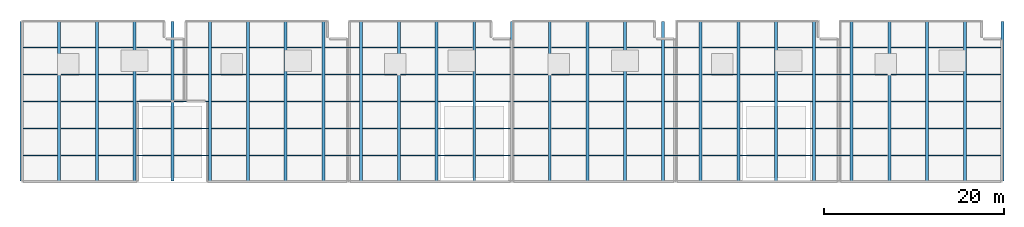
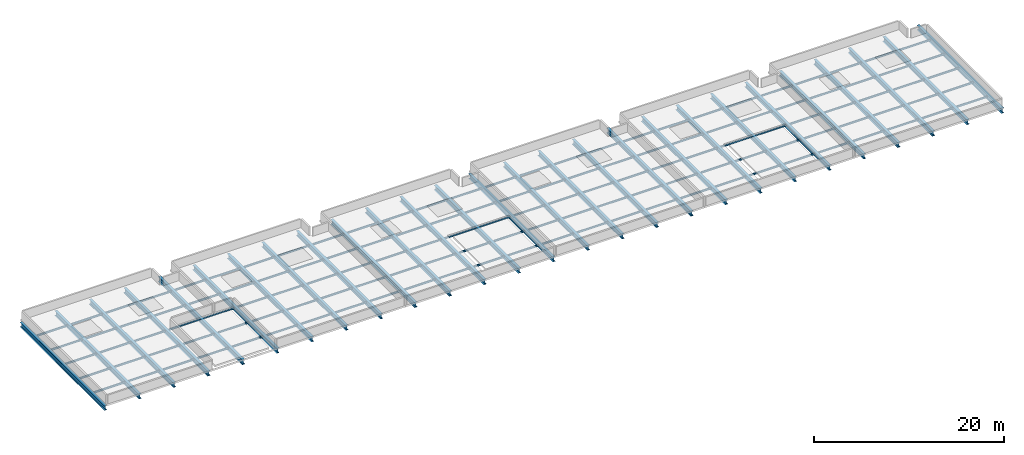
# One storey, part 1 of 3: 130 members, 27 beams.
"""IFC4 building model written with IfcOpenShell, lengths in metres."""

from ifc_helpers import new_model, si_unit, direction, frame, origin, origin_2d, place, context, subcontext, project, spatial, i_section, extrude, material, material_profile, profile_set, type_object, element, save


model = new_model("IFC4")

# Units and contexts
model_context = context("Model", 3, precision=1e-05, world=origin(), true_north=direction((0.0, 1.0)))
body_context = subcontext(model_context, "Body", "Model", "MODEL_VIEW")
ifc_project = project(units=[si_unit("LENGTHUNIT", "METRE"), si_unit("AREAUNIT", "SQUARE_METRE"), si_unit("VOLUMEUNIT", "CUBIC_METRE"), si_unit("PLANEANGLEUNIT", "RADIAN"), si_unit("MASSUNIT", "GRAM", prefix="KILO")], contexts=[model_context])

# Site, building, storey
site_placement = place(None, origin())
site = spatial("IfcSite", under=ifc_project, at=site_placement, CompositionType="ELEMENT")
building_placement = place(site_placement, origin())
building = spatial("IfcBuilding", under=site, at=building_placement, Name="Khurvash Pelagic Aquarium", CompositionType="ELEMENT")
storey_placement = place(building_placement, frame((0.0, 0.0, 30.0)))
storey = spatial("IfcBuildingStorey", under=building, at=storey_placement, Name="RF", CompositionType="ELEMENT", Elevation=30.0)

# Beams
ifc_material_1 = material(Name="Steel ASTM A992 Grade 50", Category="steel")
ifc_material_profile_1 = material_profile(ifc_material_1, i_section(OverallWidth=0.324951171875, OverallDepth=0.612060546875, WebThickness=0.0126953125, FlangeThickness=0.01904296875, at=origin_2d()), Name="W24X104")
ifc_profile_set_1 = profile_set([ifc_material_profile_1], Name="Steel ASTM A992 Grade 50")
beam_type_1 = type_object("IfcBeamType", Name="BM-10", PredefinedType="BEAM", material=ifc_profile_set_1)
for number, where, z_axis, x_axis, name in (
    (1, (16.800048828125, 11.81005859375, -0.52587890625), (0.0, 1.0, 0.0), (-1.0, 0.0, 0.0), "RF Sky-Bar Transverse Roof Girder BM-10 N02"),
    (2, (21.0, 11.81005859375, -0.52587890625), (0.0, 1.0, 0.0), (-1.0, 0.0, 0.0), "RF Sky-Bar Transverse Roof Girder BM-10 N03"),
    (3, (25.199951171875, 11.81005859375, -0.52587890625), (0.0, 1.0, 0.0), (-1.0, 0.0, 0.0), "RF Sky-Bar Transverse Roof Girder BM-10 N04"),
    (4, (29.39990234375, 11.81005859375, -0.52587890625), (0.0, 1.0, 0.0), (-1.0, 0.0, 0.0), "RF Sky-Bar Transverse Roof Girder BM-10 N05"),
    (5, (33.60009765625, 11.81005859375, -0.52587890625), (0.0, 1.0, 0.0), (-1.0, 0.0, 0.0), "RF Sky-Bar Transverse Roof Girder BM-10 N06"),
    (6, (37.800048828125, 11.81005859375, -0.52587890625), (0.0, 1.0, 0.0), (-1.0, 0.0, 0.0), "RF Sky-Bar Transverse Roof Girder BM-10 N07"),
    (7, (42.0, 11.81005859375, -0.52587890625), (0.0, 1.0, 0.0), (-1.0, 0.0, 0.0), "RF Sky-Bar Transverse Roof Girder BM-10 N08"),
    (8, (46.199951171875, 11.81005859375, -0.52587890625), (0.0, 1.0, 0.0), (-1.0, 0.0, 0.0), "RF Sky-Bar Transverse Roof Girder BM-10 N09"),
    (9, (50.39990234375, 11.81005859375, -0.52587890625), (0.0, 1.0, 0.0), (-1.0, 0.0, 0.0), "RF Sky-Bar Transverse Roof Girder BM-10 N10"),
    (10, (54.60009765625, 11.81005859375, -0.52587890625), (0.0, 1.0, 0.0), (-1.0, 0.0, 0.0), "RF Sky-Bar Transverse Roof Girder BM-10 N11"),
    (11, (58.800048828125, 11.81005859375, -0.52587890625), (0.0, 1.0, 0.0), (-1.0, 0.0, 0.0), "RF Sky-Bar Transverse Roof Girder BM-10 N12"),
    (12, (63.0, 11.81005859375, -0.52587890625), (0.0, 1.0, 0.0), (-1.0, 0.0, 0.0), "RF Sky-Bar Transverse Roof Girder BM-10 N13"),
    (13, (67.199951171875, 11.81005859375, -0.52587890625), (0.0, 1.0, 0.0), (-1.0, 0.0, 0.0), "RF Sky-Bar Transverse Roof Girder BM-10 N14"),
    (14, (71.39990234375, 11.81005859375, -0.52587890625), (0.0, 1.0, 0.0), (-1.0, 0.0, 0.0), "RF Sky-Bar Transverse Roof Girder BM-10 N15"),
    (15, (75.60009765625, 11.81005859375, -0.52587890625), (0.0, 1.0, 0.0), (-1.0, 0.0, 0.0), "RF Sky-Bar Transverse Roof Girder BM-10 N16"),
    (16, (79.800048828125, 11.81005859375, -0.52587890625), (0.0, 1.0, 0.0), (-1.0, 0.0, 0.0), "RF Sky-Bar Transverse Roof Girder BM-10 N17"),
    (17, (84.0, 11.81005859375, -0.52587890625), (0.0, 1.0, 0.0), (-1.0, 0.0, 0.0), "RF Sky-Bar Transverse Roof Girder BM-10 N18"),
    (18, (88.199951171875, 11.81005859375, -0.52587890625), (0.0, 1.0, 0.0), (-1.0, 0.0, 0.0), "RF Sky-Bar Transverse Roof Girder BM-10 N19"),
    (19, (92.39990234375, 11.81005859375, -0.52587890625), (0.0, 1.0, 0.0), (-1.0, 0.0, 0.0), "RF Sky-Bar Transverse Roof Girder BM-10 N20"),
    (20, (96.60009765625, 11.81005859375, -0.52587890625), (0.0, 1.0, 0.0), (-1.0, 0.0, 0.0), "RF Sky-Bar Transverse Roof Girder BM-10 N21"),
    (21, (100.800048828125, 11.81005859375, -0.52587890625), (0.0, 1.0, 0.0), (-1.0, 0.0, 0.0), "RF Sky-Bar Transverse Roof Girder BM-10 N22"),
    (22, (105.0, 11.81005859375, -0.52587890625), (0.0, 1.0, 0.0), (-1.0, 0.0, 0.0), "RF Sky-Bar Transverse Roof Girder BM-10 N23"),
    (23, (109.199951171875, 11.81005859375, -0.52587890625), (0.0, 1.0, 0.0), (-1.0, 0.0, 0.0), "RF Sky-Bar Transverse Roof Girder BM-10 N24"),
    (24, (113.39990234375, 11.81005859375, -0.52587890625), (0.0, 1.0, 0.0), (-1.0, 0.0, 0.0), "RF Sky-Bar Transverse Roof Girder BM-10 N25"),
    (25, (117.60009765625, 11.81005859375, -0.52587890625), (0.0, 1.0, 0.0), (-1.0, 0.0, 0.0), "RF Sky-Bar Transverse Roof Girder BM-10 N26"),
):
    element("IfcBeam", number, at=place(storey_placement, frame(where, z_axis=z_axis, x_axis=x_axis)), inside=storey, type_object=beam_type_1, Name=name, PredefinedType="BEAM", context=body_context, shape_type="SweptSolid", body=[
        extrude(i_section(OverallWidth=0.324951171875, OverallDepth=0.612060546875, WebThickness=0.0126953125, FlangeThickness=0.01904296875, at=origin_2d()), origin(), (0.0, 0.0, 1.0), 17.780029296875),
    ])
ifc_material_profile_2 = material_profile(ifc_material_1, i_section(OverallWidth=0.324951171875, OverallDepth=0.612060546875, WebThickness=0.0126953125, FlangeThickness=0.01904296875, at=origin_2d()), Name="W24X104")
ifc_profile_set_2 = profile_set([ifc_material_profile_2], Name="Steel ASTM A992 Grade 50")
beam_type_2 = type_object("IfcBeamType", Name="BM-15", PredefinedType="BEAM", material=ifc_profile_set_2)
for number, where, z_axis, x_axis, name in (
    (26, (12.60009765625, 11.81005859375, -0.52587890625), (0.0, 1.0, 0.0), (-1.0, 0.0, 0.0), "RF Sky-Bar Transverse Roof Girder BM-15 N01"),
    (27, (121.800048828125, 11.81005859375, -0.52587890625), (0.0, 1.0, 0.0), (-1.0, 0.0, 0.0), "RF Sky-Bar Transverse Roof Girder BM-15 N27"),
):
    element("IfcBeam", number, at=place(storey_placement, frame(where, z_axis=z_axis, x_axis=x_axis)), inside=storey, type_object=beam_type_2, Name=name, PredefinedType="BEAM", context=body_context, shape_type="SweptSolid", body=[
        extrude(i_section(OverallWidth=0.324951171875, OverallDepth=0.612060546875, WebThickness=0.0126953125, FlangeThickness=0.01904296875, at=origin_2d()), origin(), (0.0, 0.0, 1.0), 17.780029296875),
    ])

# Members
ifc_material_2 = material(Name="Steel S355J2", Category="steel")
ifc_material_profile_3 = material_profile(ifc_material_2, i_section(OverallWidth=0.1201171875, OverallDepth=0.239990234375, WebThickness=0.006103515625, FlangeThickness=0.009765625, at=origin_2d()), Name="IPE240")
ifc_profile_set_3 = profile_set([ifc_material_profile_3], Name="Steel S355J2")
member_type = type_object("IfcMemberType", Name="PR-01", PredefinedType="PURLIN", material=ifc_profile_set_3)
for number, where, z_axis, x_axis, name in (
    (28, (12.780029296875, 14.64990234375, -0.340087890625), (1.0, 0.0, 0.0), (0.0, 1.0, 0.0), "RF Sky-Bar Roof Purlin PR-01 P01"),
    (29, (12.780029296875, 17.64990234375, -0.340087890625), (1.0, 0.0, 0.0), (0.0, 1.0, 0.0), "RF Sky-Bar Roof Purlin PR-01 P01"),
    (30, (12.780029296875, 20.699951171875, -0.340087890625), (1.0, 0.0, 0.0), (0.0, 1.0, 0.0), "RF Sky-Bar Roof Purlin PR-01 P01"),
    (31, (12.780029296875, 23.699951171875, -0.340087890625), (1.0, 0.0, 0.0), (0.0, 1.0, 0.0), "RF Sky-Bar Roof Purlin PR-01 P01"),
    (32, (12.780029296875, 26.699951171875, -0.340087890625), (1.0, 0.0, 0.0), (0.0, 1.0, 0.0), "RF Sky-Bar Roof Purlin PR-01 P01"),
    (33, (16.97998046875, 14.64990234375, -0.340087890625), (1.0, 0.0, 0.0), (0.0, 1.0, 0.0), "RF Sky-Bar Roof Purlin PR-01 P02"),
    (34, (16.97998046875, 17.64990234375, -0.340087890625), (1.0, 0.0, 0.0), (0.0, 1.0, 0.0), "RF Sky-Bar Roof Purlin PR-01 P02"),
    (35, (16.97998046875, 20.699951171875, -0.340087890625), (1.0, 0.0, 0.0), (0.0, 1.0, 0.0), "RF Sky-Bar Roof Purlin PR-01 P02"),
    (36, (16.97998046875, 23.699951171875, -0.340087890625), (1.0, 0.0, 0.0), (0.0, 1.0, 0.0), "RF Sky-Bar Roof Purlin PR-01 P02"),
    (37, (16.97998046875, 26.699951171875, -0.340087890625), (1.0, 0.0, 0.0), (0.0, 1.0, 0.0), "RF Sky-Bar Roof Purlin PR-01 P02"),
    (38, (21.179931640625, 14.64990234375, -0.340087890625), (1.0, 0.0, 0.0), (0.0, 1.0, 0.0), "RF Sky-Bar Roof Purlin PR-01 P03"),
    (39, (21.179931640625, 17.64990234375, -0.340087890625), (1.0, 0.0, 0.0), (0.0, 1.0, 0.0), "RF Sky-Bar Roof Purlin PR-01 P03"),
    (40, (21.179931640625, 20.699951171875, -0.340087890625), (1.0, 0.0, 0.0), (0.0, 1.0, 0.0), "RF Sky-Bar Roof Purlin PR-01 P03"),
    (41, (21.179931640625, 23.699951171875, -0.340087890625), (1.0, 0.0, 0.0), (0.0, 1.0, 0.0), "RF Sky-Bar Roof Purlin PR-01 P03"),
    (42, (21.179931640625, 26.699951171875, -0.340087890625), (1.0, 0.0, 0.0), (0.0, 1.0, 0.0), "RF Sky-Bar Roof Purlin PR-01 P03"),
    (43, (25.3798828125, 14.64990234375, -0.340087890625), (1.0, 0.0, 0.0), (0.0, 1.0, 0.0), "RF Sky-Bar Roof Purlin PR-01 P04"),
    (44, (25.3798828125, 17.64990234375, -0.340087890625), (1.0, 0.0, 0.0), (0.0, 1.0, 0.0), "RF Sky-Bar Roof Purlin PR-01 P04"),
    (45, (25.3798828125, 20.699951171875, -0.340087890625), (1.0, 0.0, 0.0), (0.0, 1.0, 0.0), "RF Sky-Bar Roof Purlin PR-01 P04"),
    (46, (25.3798828125, 23.699951171875, -0.340087890625), (1.0, 0.0, 0.0), (0.0, 1.0, 0.0), "RF Sky-Bar Roof Purlin PR-01 P04"),
    (47, (25.3798828125, 26.699951171875, -0.340087890625), (1.0, 0.0, 0.0), (0.0, 1.0, 0.0), "RF Sky-Bar Roof Purlin PR-01 P04"),
):
    element("IfcMember", number, at=place(storey_placement, frame(where, z_axis=z_axis, x_axis=x_axis)), inside=storey, type_object=member_type, Name=name, PredefinedType="PURLIN", context=body_context, shape_type="SweptSolid", body=[
        extrude(i_section(OverallWidth=0.1201171875, OverallDepth=0.239990234375, WebThickness=0.006103515625, FlangeThickness=0.009765625, at=origin_2d()), origin(), (0.0, 0.0, 1.0), 3.840087890625),
    ])
for number, where, z_axis, x_axis, name in (
    (48, (29.580078125, 14.64990234375, -0.340087890625), (1.0, 0.0, 0.0), (0.0, 1.0, 0.0), "RF Sky-Bar Roof Purlin PR-01 P05"),
    (49, (29.580078125, 17.64990234375, -0.340087890625), (1.0, 0.0, 0.0), (0.0, 1.0, 0.0), "RF Sky-Bar Roof Purlin PR-01 P05"),
    (50, (29.580078125, 20.699951171875, -0.340087890625), (1.0, 0.0, 0.0), (0.0, 1.0, 0.0), "RF Sky-Bar Roof Purlin PR-01 P05"),
    (51, (29.580078125, 23.699951171875, -0.340087890625), (1.0, 0.0, 0.0), (0.0, 1.0, 0.0), "RF Sky-Bar Roof Purlin PR-01 P05"),
    (52, (29.580078125, 26.699951171875, -0.340087890625), (1.0, 0.0, 0.0), (0.0, 1.0, 0.0), "RF Sky-Bar Roof Purlin PR-01 P05"),
):
    element("IfcMember", number, at=place(storey_placement, frame(where, z_axis=z_axis, x_axis=x_axis)), inside=storey, type_object=member_type, Name=name, PredefinedType="PURLIN", context=body_context, shape_type="SweptSolid", body=[
        extrude(i_section(OverallWidth=0.1201171875, OverallDepth=0.239990234375, WebThickness=0.006103515625, FlangeThickness=0.009765625, at=origin_2d()), origin(), (0.0, 0.0, 1.0), 3.83984375),
    ])
for number, where, z_axis, x_axis, name in (
    (53, (33.780029296875, 14.64990234375, -0.340087890625), (1.0, 0.0, 0.0), (0.0, 1.0, 0.0), "RF Sky-Bar Roof Purlin PR-01 P06"),
    (54, (33.780029296875, 17.64990234375, -0.340087890625), (1.0, 0.0, 0.0), (0.0, 1.0, 0.0), "RF Sky-Bar Roof Purlin PR-01 P06"),
    (55, (33.780029296875, 20.699951171875, -0.340087890625), (1.0, 0.0, 0.0), (0.0, 1.0, 0.0), "RF Sky-Bar Roof Purlin PR-01 P06"),
    (56, (33.780029296875, 23.699951171875, -0.340087890625), (1.0, 0.0, 0.0), (0.0, 1.0, 0.0), "RF Sky-Bar Roof Purlin PR-01 P06"),
    (57, (33.780029296875, 26.699951171875, -0.340087890625), (1.0, 0.0, 0.0), (0.0, 1.0, 0.0), "RF Sky-Bar Roof Purlin PR-01 P06"),
    (58, (37.97998046875, 14.64990234375, -0.340087890625), (1.0, 0.0, 0.0), (0.0, 1.0, 0.0), "RF Sky-Bar Roof Purlin PR-01 P07"),
    (59, (37.97998046875, 17.64990234375, -0.340087890625), (1.0, 0.0, 0.0), (0.0, 1.0, 0.0), "RF Sky-Bar Roof Purlin PR-01 P07"),
    (60, (37.97998046875, 20.699951171875, -0.340087890625), (1.0, 0.0, 0.0), (0.0, 1.0, 0.0), "RF Sky-Bar Roof Purlin PR-01 P07"),
    (61, (37.97998046875, 23.699951171875, -0.340087890625), (1.0, 0.0, 0.0), (0.0, 1.0, 0.0), "RF Sky-Bar Roof Purlin PR-01 P07"),
    (62, (37.97998046875, 26.699951171875, -0.340087890625), (1.0, 0.0, 0.0), (0.0, 1.0, 0.0), "RF Sky-Bar Roof Purlin PR-01 P07"),
    (63, (42.179931640625, 14.64990234375, -0.340087890625), (1.0, 0.0, 0.0), (0.0, 1.0, 0.0), "RF Sky-Bar Roof Purlin PR-01 P08"),
    (64, (42.179931640625, 17.64990234375, -0.340087890625), (1.0, 0.0, 0.0), (0.0, 1.0, 0.0), "RF Sky-Bar Roof Purlin PR-01 P08"),
    (65, (42.179931640625, 20.699951171875, -0.340087890625), (1.0, 0.0, 0.0), (0.0, 1.0, 0.0), "RF Sky-Bar Roof Purlin PR-01 P08"),
    (66, (42.179931640625, 23.699951171875, -0.340087890625), (1.0, 0.0, 0.0), (0.0, 1.0, 0.0), "RF Sky-Bar Roof Purlin PR-01 P08"),
    (67, (42.179931640625, 26.699951171875, -0.340087890625), (1.0, 0.0, 0.0), (0.0, 1.0, 0.0), "RF Sky-Bar Roof Purlin PR-01 P08"),
    (68, (46.3798828125, 14.64990234375, -0.340087890625), (1.0, 0.0, 0.0), (0.0, 1.0, 0.0), "RF Sky-Bar Roof Purlin PR-01 P09"),
    (69, (46.3798828125, 17.64990234375, -0.340087890625), (1.0, 0.0, 0.0), (0.0, 1.0, 0.0), "RF Sky-Bar Roof Purlin PR-01 P09"),
    (70, (46.3798828125, 20.699951171875, -0.340087890625), (1.0, 0.0, 0.0), (0.0, 1.0, 0.0), "RF Sky-Bar Roof Purlin PR-01 P09"),
    (71, (46.3798828125, 23.699951171875, -0.340087890625), (1.0, 0.0, 0.0), (0.0, 1.0, 0.0), "RF Sky-Bar Roof Purlin PR-01 P09"),
    (72, (46.3798828125, 26.699951171875, -0.340087890625), (1.0, 0.0, 0.0), (0.0, 1.0, 0.0), "RF Sky-Bar Roof Purlin PR-01 P09"),
):
    element("IfcMember", number, at=place(storey_placement, frame(where, z_axis=z_axis, x_axis=x_axis)), inside=storey, type_object=member_type, Name=name, PredefinedType="PURLIN", context=body_context, shape_type="SweptSolid", body=[
        extrude(i_section(OverallWidth=0.1201171875, OverallDepth=0.239990234375, WebThickness=0.006103515625, FlangeThickness=0.009765625, at=origin_2d()), origin(), (0.0, 0.0, 1.0), 3.840087890625),
    ])
for number, where, z_axis, x_axis, name in (
    (73, (50.580078125, 14.64990234375, -0.340087890625), (1.0, 0.0, 0.0), (0.0, 1.0, 0.0), "RF Sky-Bar Roof Purlin PR-01 P10"),
    (74, (50.580078125, 17.64990234375, -0.340087890625), (1.0, 0.0, 0.0), (0.0, 1.0, 0.0), "RF Sky-Bar Roof Purlin PR-01 P10"),
    (75, (50.580078125, 20.699951171875, -0.340087890625), (1.0, 0.0, 0.0), (0.0, 1.0, 0.0), "RF Sky-Bar Roof Purlin PR-01 P10"),
    (76, (50.580078125, 23.699951171875, -0.340087890625), (1.0, 0.0, 0.0), (0.0, 1.0, 0.0), "RF Sky-Bar Roof Purlin PR-01 P10"),
    (77, (50.580078125, 26.699951171875, -0.340087890625), (1.0, 0.0, 0.0), (0.0, 1.0, 0.0), "RF Sky-Bar Roof Purlin PR-01 P10"),
):
    element("IfcMember", number, at=place(storey_placement, frame(where, z_axis=z_axis, x_axis=x_axis)), inside=storey, type_object=member_type, Name=name, PredefinedType="PURLIN", context=body_context, shape_type="SweptSolid", body=[
        extrude(i_section(OverallWidth=0.1201171875, OverallDepth=0.239990234375, WebThickness=0.006103515625, FlangeThickness=0.009765625, at=origin_2d()), origin(), (0.0, 0.0, 1.0), 3.83984375),
    ])
for number, where, z_axis, x_axis, name in (
    (78, (54.780029296875, 14.64990234375, -0.340087890625), (1.0, 0.0, 0.0), (0.0, 1.0, 0.0), "RF Sky-Bar Roof Purlin PR-01 P11"),
    (79, (54.780029296875, 17.64990234375, -0.340087890625), (1.0, 0.0, 0.0), (0.0, 1.0, 0.0), "RF Sky-Bar Roof Purlin PR-01 P11"),
    (80, (54.780029296875, 20.699951171875, -0.340087890625), (1.0, 0.0, 0.0), (0.0, 1.0, 0.0), "RF Sky-Bar Roof Purlin PR-01 P11"),
    (81, (54.780029296875, 23.699951171875, -0.340087890625), (1.0, 0.0, 0.0), (0.0, 1.0, 0.0), "RF Sky-Bar Roof Purlin PR-01 P11"),
    (82, (54.780029296875, 26.699951171875, -0.340087890625), (1.0, 0.0, 0.0), (0.0, 1.0, 0.0), "RF Sky-Bar Roof Purlin PR-01 P11"),
    (83, (58.97998046875, 14.64990234375, -0.340087890625), (1.0, 0.0, 0.0), (0.0, 1.0, 0.0), "RF Sky-Bar Roof Purlin PR-01 P12"),
    (84, (58.97998046875, 17.64990234375, -0.340087890625), (1.0, 0.0, 0.0), (0.0, 1.0, 0.0), "RF Sky-Bar Roof Purlin PR-01 P12"),
    (85, (58.97998046875, 20.699951171875, -0.340087890625), (1.0, 0.0, 0.0), (0.0, 1.0, 0.0), "RF Sky-Bar Roof Purlin PR-01 P12"),
    (86, (58.97998046875, 23.699951171875, -0.340087890625), (1.0, 0.0, 0.0), (0.0, 1.0, 0.0), "RF Sky-Bar Roof Purlin PR-01 P12"),
    (87, (58.97998046875, 26.699951171875, -0.340087890625), (1.0, 0.0, 0.0), (0.0, 1.0, 0.0), "RF Sky-Bar Roof Purlin PR-01 P12"),
    (88, (63.179931640625, 14.64990234375, -0.340087890625), (1.0, 0.0, 0.0), (0.0, 1.0, 0.0), "RF Sky-Bar Roof Purlin PR-01 P13"),
    (89, (63.179931640625, 17.64990234375, -0.340087890625), (1.0, 0.0, 0.0), (0.0, 1.0, 0.0), "RF Sky-Bar Roof Purlin PR-01 P13"),
    (90, (63.179931640625, 20.699951171875, -0.340087890625), (1.0, 0.0, 0.0), (0.0, 1.0, 0.0), "RF Sky-Bar Roof Purlin PR-01 P13"),
    (91, (63.179931640625, 23.699951171875, -0.340087890625), (1.0, 0.0, 0.0), (0.0, 1.0, 0.0), "RF Sky-Bar Roof Purlin PR-01 P13"),
    (92, (63.179931640625, 26.699951171875, -0.340087890625), (1.0, 0.0, 0.0), (0.0, 1.0, 0.0), "RF Sky-Bar Roof Purlin PR-01 P13"),
    (93, (67.3798828125, 14.64990234375, -0.340087890625), (1.0, 0.0, 0.0), (0.0, 1.0, 0.0), "RF Sky-Bar Roof Purlin PR-01 P14"),
    (94, (67.3798828125, 17.64990234375, -0.340087890625), (1.0, 0.0, 0.0), (0.0, 1.0, 0.0), "RF Sky-Bar Roof Purlin PR-01 P14"),
    (95, (67.3798828125, 20.699951171875, -0.340087890625), (1.0, 0.0, 0.0), (0.0, 1.0, 0.0), "RF Sky-Bar Roof Purlin PR-01 P14"),
    (96, (67.3798828125, 23.699951171875, -0.340087890625), (1.0, 0.0, 0.0), (0.0, 1.0, 0.0), "RF Sky-Bar Roof Purlin PR-01 P14"),
    (97, (67.3798828125, 26.699951171875, -0.340087890625), (1.0, 0.0, 0.0), (0.0, 1.0, 0.0), "RF Sky-Bar Roof Purlin PR-01 P14"),
):
    element("IfcMember", number, at=place(storey_placement, frame(where, z_axis=z_axis, x_axis=x_axis)), inside=storey, type_object=member_type, Name=name, PredefinedType="PURLIN", context=body_context, shape_type="SweptSolid", body=[
        extrude(i_section(OverallWidth=0.1201171875, OverallDepth=0.239990234375, WebThickness=0.006103515625, FlangeThickness=0.009765625, at=origin_2d()), origin(), (0.0, 0.0, 1.0), 3.840087890625),
    ])
for number, where, z_axis, x_axis, name in (
    (98, (71.580078125, 14.64990234375, -0.340087890625), (1.0, 0.0, 0.0), (0.0, 1.0, 0.0), "RF Sky-Bar Roof Purlin PR-01 P15"),
    (99, (71.580078125, 17.64990234375, -0.340087890625), (1.0, 0.0, 0.0), (0.0, 1.0, 0.0), "RF Sky-Bar Roof Purlin PR-01 P15"),
    (100, (71.580078125, 20.699951171875, -0.340087890625), (1.0, 0.0, 0.0), (0.0, 1.0, 0.0), "RF Sky-Bar Roof Purlin PR-01 P15"),
    (101, (71.580078125, 23.699951171875, -0.340087890625), (1.0, 0.0, 0.0), (0.0, 1.0, 0.0), "RF Sky-Bar Roof Purlin PR-01 P15"),
    (102, (71.580078125, 26.699951171875, -0.340087890625), (1.0, 0.0, 0.0), (0.0, 1.0, 0.0), "RF Sky-Bar Roof Purlin PR-01 P15"),
):
    element("IfcMember", number, at=place(storey_placement, frame(where, z_axis=z_axis, x_axis=x_axis)), inside=storey, type_object=member_type, Name=name, PredefinedType="PURLIN", context=body_context, shape_type="SweptSolid", body=[
        extrude(i_section(OverallWidth=0.1201171875, OverallDepth=0.239990234375, WebThickness=0.006103515625, FlangeThickness=0.009765625, at=origin_2d()), origin(), (0.0, 0.0, 1.0), 3.83984375),
    ])
for number, where, z_axis, x_axis, name in (
    (103, (75.780029296875, 14.64990234375, -0.340087890625), (1.0, 0.0, 0.0), (0.0, 1.0, 0.0), "RF Sky-Bar Roof Purlin PR-01 P16"),
    (104, (75.780029296875, 17.64990234375, -0.340087890625), (1.0, 0.0, 0.0), (0.0, 1.0, 0.0), "RF Sky-Bar Roof Purlin PR-01 P16"),
    (105, (75.780029296875, 20.699951171875, -0.340087890625), (1.0, 0.0, 0.0), (0.0, 1.0, 0.0), "RF Sky-Bar Roof Purlin PR-01 P16"),
    (106, (75.780029296875, 23.699951171875, -0.340087890625), (1.0, 0.0, 0.0), (0.0, 1.0, 0.0), "RF Sky-Bar Roof Purlin PR-01 P16"),
    (107, (75.780029296875, 26.699951171875, -0.340087890625), (1.0, 0.0, 0.0), (0.0, 1.0, 0.0), "RF Sky-Bar Roof Purlin PR-01 P16"),
    (108, (79.97998046875, 14.64990234375, -0.340087890625), (1.0, 0.0, 0.0), (0.0, 1.0, 0.0), "RF Sky-Bar Roof Purlin PR-01 P17"),
    (109, (79.97998046875, 17.64990234375, -0.340087890625), (1.0, 0.0, 0.0), (0.0, 1.0, 0.0), "RF Sky-Bar Roof Purlin PR-01 P17"),
    (110, (79.97998046875, 20.699951171875, -0.340087890625), (1.0, 0.0, 0.0), (0.0, 1.0, 0.0), "RF Sky-Bar Roof Purlin PR-01 P17"),
    (111, (79.97998046875, 23.699951171875, -0.340087890625), (1.0, 0.0, 0.0), (0.0, 1.0, 0.0), "RF Sky-Bar Roof Purlin PR-01 P17"),
    (112, (79.97998046875, 26.699951171875, -0.340087890625), (1.0, 0.0, 0.0), (0.0, 1.0, 0.0), "RF Sky-Bar Roof Purlin PR-01 P17"),
    (113, (84.179931640625, 14.64990234375, -0.340087890625), (1.0, 0.0, 0.0), (0.0, 1.0, 0.0), "RF Sky-Bar Roof Purlin PR-01 P18"),
    (114, (84.179931640625, 17.64990234375, -0.340087890625), (1.0, 0.0, 0.0), (0.0, 1.0, 0.0), "RF Sky-Bar Roof Purlin PR-01 P18"),
    (115, (84.179931640625, 20.699951171875, -0.340087890625), (1.0, 0.0, 0.0), (0.0, 1.0, 0.0), "RF Sky-Bar Roof Purlin PR-01 P18"),
    (116, (84.179931640625, 23.699951171875, -0.340087890625), (1.0, 0.0, 0.0), (0.0, 1.0, 0.0), "RF Sky-Bar Roof Purlin PR-01 P18"),
    (117, (84.179931640625, 26.699951171875, -0.340087890625), (1.0, 0.0, 0.0), (0.0, 1.0, 0.0), "RF Sky-Bar Roof Purlin PR-01 P18"),
    (118, (88.3798828125, 14.64990234375, -0.340087890625), (1.0, 0.0, 0.0), (0.0, 1.0, 0.0), "RF Sky-Bar Roof Purlin PR-01 P19"),
    (119, (88.3798828125, 17.64990234375, -0.340087890625), (1.0, 0.0, 0.0), (0.0, 1.0, 0.0), "RF Sky-Bar Roof Purlin PR-01 P19"),
    (120, (88.3798828125, 20.699951171875, -0.340087890625), (1.0, 0.0, 0.0), (0.0, 1.0, 0.0), "RF Sky-Bar Roof Purlin PR-01 P19"),
    (121, (88.3798828125, 23.699951171875, -0.340087890625), (1.0, 0.0, 0.0), (0.0, 1.0, 0.0), "RF Sky-Bar Roof Purlin PR-01 P19"),
    (122, (88.3798828125, 26.699951171875, -0.340087890625), (1.0, 0.0, 0.0), (0.0, 1.0, 0.0), "RF Sky-Bar Roof Purlin PR-01 P19"),
):
    element("IfcMember", number, at=place(storey_placement, frame(where, z_axis=z_axis, x_axis=x_axis)), inside=storey, type_object=member_type, Name=name, PredefinedType="PURLIN", context=body_context, shape_type="SweptSolid", body=[
        extrude(i_section(OverallWidth=0.1201171875, OverallDepth=0.239990234375, WebThickness=0.006103515625, FlangeThickness=0.009765625, at=origin_2d()), origin(), (0.0, 0.0, 1.0), 3.840087890625),
    ])
for number, where, z_axis, x_axis, name in (
    (123, (92.580078125, 14.64990234375, -0.340087890625), (1.0, 0.0, 0.0), (0.0, 1.0, 0.0), "RF Sky-Bar Roof Purlin PR-01 P20"),
    (124, (92.580078125, 17.64990234375, -0.340087890625), (1.0, 0.0, 0.0), (0.0, 1.0, 0.0), "RF Sky-Bar Roof Purlin PR-01 P20"),
    (125, (92.580078125, 20.699951171875, -0.340087890625), (1.0, 0.0, 0.0), (0.0, 1.0, 0.0), "RF Sky-Bar Roof Purlin PR-01 P20"),
    (126, (92.580078125, 23.699951171875, -0.340087890625), (1.0, 0.0, 0.0), (0.0, 1.0, 0.0), "RF Sky-Bar Roof Purlin PR-01 P20"),
    (127, (92.580078125, 26.699951171875, -0.340087890625), (1.0, 0.0, 0.0), (0.0, 1.0, 0.0), "RF Sky-Bar Roof Purlin PR-01 P20"),
):
    element("IfcMember", number, at=place(storey_placement, frame(where, z_axis=z_axis, x_axis=x_axis)), inside=storey, type_object=member_type, Name=name, PredefinedType="PURLIN", context=body_context, shape_type="SweptSolid", body=[
        extrude(i_section(OverallWidth=0.1201171875, OverallDepth=0.239990234375, WebThickness=0.006103515625, FlangeThickness=0.009765625, at=origin_2d()), origin(), (0.0, 0.0, 1.0), 3.83984375),
    ])
for number, where, z_axis, x_axis, name in (
    (128, (96.780029296875, 14.64990234375, -0.340087890625), (1.0, 0.0, 0.0), (0.0, 1.0, 0.0), "RF Sky-Bar Roof Purlin PR-01 P21"),
    (129, (96.780029296875, 17.64990234375, -0.340087890625), (1.0, 0.0, 0.0), (0.0, 1.0, 0.0), "RF Sky-Bar Roof Purlin PR-01 P21"),
    (130, (96.780029296875, 20.699951171875, -0.340087890625), (1.0, 0.0, 0.0), (0.0, 1.0, 0.0), "RF Sky-Bar Roof Purlin PR-01 P21"),
    (131, (96.780029296875, 23.699951171875, -0.340087890625), (1.0, 0.0, 0.0), (0.0, 1.0, 0.0), "RF Sky-Bar Roof Purlin PR-01 P21"),
    (132, (96.780029296875, 26.699951171875, -0.340087890625), (1.0, 0.0, 0.0), (0.0, 1.0, 0.0), "RF Sky-Bar Roof Purlin PR-01 P21"),
    (133, (100.97998046875, 14.64990234375, -0.340087890625), (1.0, 0.0, 0.0), (0.0, 1.0, 0.0), "RF Sky-Bar Roof Purlin PR-01 P22"),
    (134, (100.97998046875, 17.64990234375, -0.340087890625), (1.0, 0.0, 0.0), (0.0, 1.0, 0.0), "RF Sky-Bar Roof Purlin PR-01 P22"),
    (135, (100.97998046875, 20.699951171875, -0.340087890625), (1.0, 0.0, 0.0), (0.0, 1.0, 0.0), "RF Sky-Bar Roof Purlin PR-01 P22"),
    (136, (100.97998046875, 23.699951171875, -0.340087890625), (1.0, 0.0, 0.0), (0.0, 1.0, 0.0), "RF Sky-Bar Roof Purlin PR-01 P22"),
    (137, (100.97998046875, 26.699951171875, -0.340087890625), (1.0, 0.0, 0.0), (0.0, 1.0, 0.0), "RF Sky-Bar Roof Purlin PR-01 P22"),
    (138, (105.179931640625, 14.64990234375, -0.340087890625), (1.0, 0.0, 0.0), (0.0, 1.0, 0.0), "RF Sky-Bar Roof Purlin PR-01 P23"),
    (139, (105.179931640625, 17.64990234375, -0.340087890625), (1.0, 0.0, 0.0), (0.0, 1.0, 0.0), "RF Sky-Bar Roof Purlin PR-01 P23"),
    (140, (105.179931640625, 20.699951171875, -0.340087890625), (1.0, 0.0, 0.0), (0.0, 1.0, 0.0), "RF Sky-Bar Roof Purlin PR-01 P23"),
    (141, (105.179931640625, 23.699951171875, -0.340087890625), (1.0, 0.0, 0.0), (0.0, 1.0, 0.0), "RF Sky-Bar Roof Purlin PR-01 P23"),
    (142, (105.179931640625, 26.699951171875, -0.340087890625), (1.0, 0.0, 0.0), (0.0, 1.0, 0.0), "RF Sky-Bar Roof Purlin PR-01 P23"),
    (143, (109.3798828125, 14.64990234375, -0.340087890625), (1.0, 0.0, 0.0), (0.0, 1.0, 0.0), "RF Sky-Bar Roof Purlin PR-01 P24"),
    (144, (109.3798828125, 17.64990234375, -0.340087890625), (1.0, 0.0, 0.0), (0.0, 1.0, 0.0), "RF Sky-Bar Roof Purlin PR-01 P24"),
    (145, (109.3798828125, 20.699951171875, -0.340087890625), (1.0, 0.0, 0.0), (0.0, 1.0, 0.0), "RF Sky-Bar Roof Purlin PR-01 P24"),
    (146, (109.3798828125, 23.699951171875, -0.340087890625), (1.0, 0.0, 0.0), (0.0, 1.0, 0.0), "RF Sky-Bar Roof Purlin PR-01 P24"),
    (147, (109.3798828125, 26.699951171875, -0.340087890625), (1.0, 0.0, 0.0), (0.0, 1.0, 0.0), "RF Sky-Bar Roof Purlin PR-01 P24"),
):
    element("IfcMember", number, at=place(storey_placement, frame(where, z_axis=z_axis, x_axis=x_axis)), inside=storey, type_object=member_type, Name=name, PredefinedType="PURLIN", context=body_context, shape_type="SweptSolid", body=[
        extrude(i_section(OverallWidth=0.1201171875, OverallDepth=0.239990234375, WebThickness=0.006103515625, FlangeThickness=0.009765625, at=origin_2d()), origin(), (0.0, 0.0, 1.0), 3.840087890625),
    ])
for number, where, z_axis, x_axis, name in (
    (148, (113.580078125, 14.64990234375, -0.340087890625), (1.0, 0.0, 0.0), (0.0, 1.0, 0.0), "RF Sky-Bar Roof Purlin PR-01 P25"),
    (149, (113.580078125, 17.64990234375, -0.340087890625), (1.0, 0.0, 0.0), (0.0, 1.0, 0.0), "RF Sky-Bar Roof Purlin PR-01 P25"),
    (150, (113.580078125, 20.699951171875, -0.340087890625), (1.0, 0.0, 0.0), (0.0, 1.0, 0.0), "RF Sky-Bar Roof Purlin PR-01 P25"),
    (151, (113.580078125, 23.699951171875, -0.340087890625), (1.0, 0.0, 0.0), (0.0, 1.0, 0.0), "RF Sky-Bar Roof Purlin PR-01 P25"),
    (152, (113.580078125, 26.699951171875, -0.340087890625), (1.0, 0.0, 0.0), (0.0, 1.0, 0.0), "RF Sky-Bar Roof Purlin PR-01 P25"),
):
    element("IfcMember", number, at=place(storey_placement, frame(where, z_axis=z_axis, x_axis=x_axis)), inside=storey, type_object=member_type, Name=name, PredefinedType="PURLIN", context=body_context, shape_type="SweptSolid", body=[
        extrude(i_section(OverallWidth=0.1201171875, OverallDepth=0.239990234375, WebThickness=0.006103515625, FlangeThickness=0.009765625, at=origin_2d()), origin(), (0.0, 0.0, 1.0), 3.83984375),
    ])
for number, where, z_axis, x_axis, name in (
    (153, (117.780029296875, 14.64990234375, -0.340087890625), (1.0, 0.0, 0.0), (0.0, 1.0, 0.0), "RF Sky-Bar Roof Purlin PR-01 P26"),
    (154, (117.780029296875, 17.64990234375, -0.340087890625), (1.0, 0.0, 0.0), (0.0, 1.0, 0.0), "RF Sky-Bar Roof Purlin PR-01 P26"),
    (155, (117.780029296875, 20.699951171875, -0.340087890625), (1.0, 0.0, 0.0), (0.0, 1.0, 0.0), "RF Sky-Bar Roof Purlin PR-01 P26"),
    (156, (117.780029296875, 23.699951171875, -0.340087890625), (1.0, 0.0, 0.0), (0.0, 1.0, 0.0), "RF Sky-Bar Roof Purlin PR-01 P26"),
    (157, (117.780029296875, 26.699951171875, -0.340087890625), (1.0, 0.0, 0.0), (0.0, 1.0, 0.0), "RF Sky-Bar Roof Purlin PR-01 P26"),
):
    element("IfcMember", number, at=place(storey_placement, frame(where, z_axis=z_axis, x_axis=x_axis)), inside=storey, type_object=member_type, Name=name, PredefinedType="PURLIN", context=body_context, shape_type="SweptSolid", body=[
        extrude(i_section(OverallWidth=0.1201171875, OverallDepth=0.239990234375, WebThickness=0.006103515625, FlangeThickness=0.009765625, at=origin_2d()), origin(), (0.0, 0.0, 1.0), 3.840087890625),
    ])

save(model, "model.ifc")
